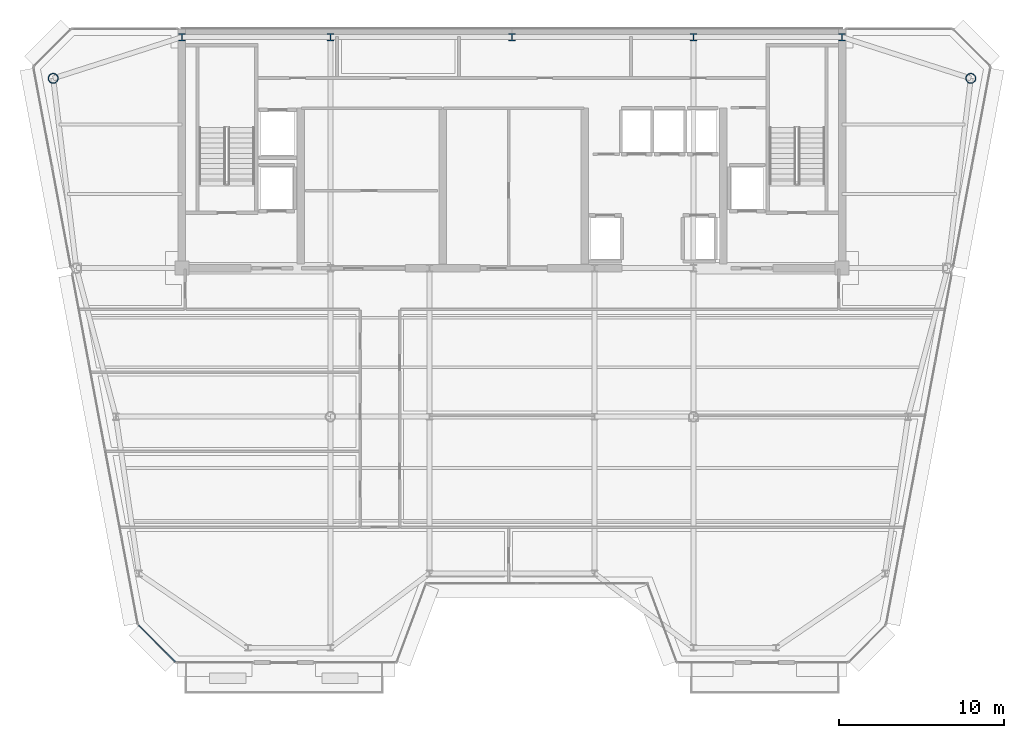
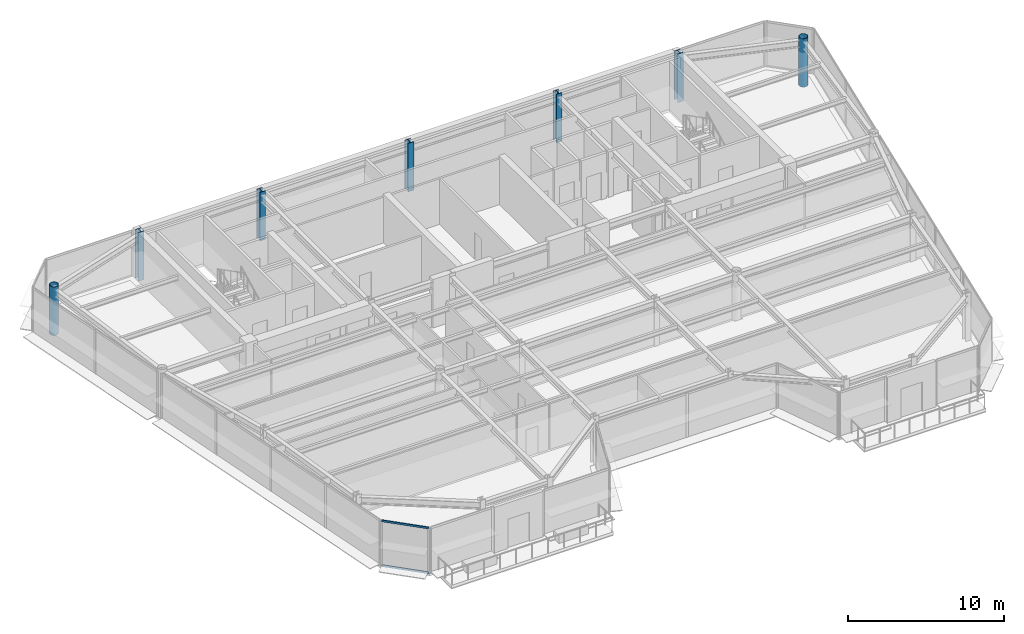
# One storey, part 2 of 20: 7 columns, 2 members, 1 element without a shape of its own.
"""IFC4 building model written with IfcOpenShell, lengths in metres."""

from ifc_helpers import new_model, si_unit, direction, frame, origin, origin_2d, place, context, subcontext, project, spatial, rectangle, hollow_circle, i_section, extrude, source, transform, mapped, material, layer, layer_set, material_profile, profile_set, type_object, element, aggregate, save


model = new_model("IFC4")

# Units and contexts
model_context = context("Model", 3, precision=1e-05, world=origin(), true_north=direction((0.0, 1.0)))
body_context = subcontext(model_context, "Body", "Model", "MODEL_VIEW")
ifc_project = project(units=[si_unit("LENGTHUNIT", "METRE"), si_unit("AREAUNIT", "SQUARE_METRE"), si_unit("VOLUMEUNIT", "CUBIC_METRE"), si_unit("PLANEANGLEUNIT", "RADIAN"), si_unit("MASSUNIT", "GRAM", prefix="KILO")], contexts=[model_context])

# Site, building, storey
site_placement = place(None, origin())
site = spatial("IfcSite", under=ifc_project, at=site_placement, CompositionType="ELEMENT")
building_placement = place(site_placement, origin())
building = spatial("IfcBuilding", under=site, at=building_placement, Name="Vaeldorn Concourse Tower", CompositionType="ELEMENT")
storey_placement = place(building_placement, frame((0.0, 0.0, 268.800048828125)))
storey = spatial("IfcBuildingStorey", under=building, at=storey_placement, Name="L69", CompositionType="ELEMENT", Elevation=268.800048828125)

# Columns
ifc_material_1 = material(Name="Steel S460", Category="steel")
ifc_material_profile_1 = material_profile(ifc_material_1, i_section(OverallWidth=0.41796875, OverallDepth=0.455078125, WebThickness=0.0419921875, FlangeThickness=0.05810546875, FilletRadius=0.014892578125, at=origin_2d()), Name="HD 400x551")
ifc_profile_set_1 = profile_set([ifc_material_profile_1], Name="Steel S460")
column_type_1 = type_object("IfcColumnType", Name="COL-HD551", PredefinedType="COLUMN", material=ifc_profile_set_1)
shared_shape_1 = source(origin(), body_context, "Body", "SweptSolid", [
    extrude(i_section(OverallWidth=0.41796875, OverallDepth=0.455078125, WebThickness=0.0419921875, FlangeThickness=0.05810546875, FilletRadius=0.014892578125, at=origin_2d()), origin(), (0.0, 0.0, 1.0), 3.800048828125),
])
for number, where, z_axis, x_axis, name in (
    (1, (14.0, 50.5, 0.0), (0.0, 0.0, 1.0), (1.0, 0.0, 0.0), "Column C-HC1 L69"),
    (2, (23.0, 50.5, 0.0), (0.0, 0.0, 1.0), (1.0, 0.0, 0.0), "Column C-HC2 L69"),
    (3, (34.0, 50.5, 0.0), (0.0, 0.0, 1.0), (1.0, 0.0, 0.0), "Column C-HC3 L69"),
    (4, (45.0, 50.5, 0.0), (0.0, 0.0, 1.0), (1.0, 0.0, 0.0), "Column C-HC4 L69"),
    (5, (54.0, 50.5, 0.0), (0.0, 0.0, 1.0), (1.0, 0.0, 0.0), "Column C-HC5 L69"),
):
    element("IfcColumn", number, at=place(storey_placement, frame(where, z_axis=z_axis, x_axis=x_axis)), inside=storey, type_object=column_type_1, Name=name, PredefinedType="COLUMN", context=body_context, shape_type="MappedRepresentation", body=[
        mapped(shared_shape_1, transform((0.0, 0.0, 0.0), scale=1.0)),
    ])
ifc_material_2 = material(Name="Steel S355", Category="steel")
ifc_material_profile_2 = material_profile(ifc_material_2, hollow_circle(Radius=0.304931640625, WallThickness=0.030029296875, at=origin_2d()), Name="CHS 610x30")
ifc_profile_set_2 = profile_set([ifc_material_profile_2], Name="Steel S355")
column_type_2 = type_object("IfcColumnType", Name="COL-CHS610", PredefinedType="COLUMN", material=ifc_profile_set_2)
shared_shape_2 = source(origin(), body_context, "Body", "SweptSolid", [
    extrude(hollow_circle(Radius=0.304931640625, WallThickness=0.030029296875, at=origin_2d()), origin(), (0.0, 0.0, 1.0), 3.800048828125),
])
for number, where, z_axis, x_axis, name in (
    (6, (6.199951171875, 48.0, 0.0), (0.0, 0.0, 1.0), (1.0, 0.0, 0.0), "Column C-NW1 L69"),
    (7, (61.800048828125, 48.0, 0.0), (0.0, 0.0, 1.0), (1.0, 0.0, 0.0), "Column C-NE1 L69"),
):
    element("IfcColumn", number, at=place(storey_placement, frame(where, z_axis=z_axis, x_axis=x_axis)), inside=storey, type_object=column_type_2, Name=name, PredefinedType="COLUMN", context=body_context, shape_type="MappedRepresentation", body=[
        mapped(shared_shape_2, transform((0.0, 0.0, 0.0), scale=1.0)),
    ])

# Curtain wall, members
ifc_material_3 = material(Name="Anodised Bronze Aluminium", Category="aluminium")
ifc_layer = layer(ifc_material_3, 0.2099609375)
ifc_layer_set = layer_set([ifc_layer], Name="Anodised Bronze Aluminium")
curtain_wall_type = type_object("IfcCurtainWallType", Name="CW-SYS-06", PredefinedType="NOTDEFINED", material=ifc_layer_set)
curtain_wall_placement = place(storey_placement, origin())
curtain_wall = element("IfcCurtainWall", 8, at=curtain_wall_placement, inside=storey, type_object=curtain_wall_type, Name="Unitised Curtain Wall CW-L69-E12-1", PredefinedType="NOTDEFINED")
ifc_material_profile_3 = material_profile(ifc_material_3, rectangle(XDim=0.06494140625, YDim=0.14990234375, at=origin_2d()), Name="CWT 65x150")
ifc_profile_set_3 = profile_set([ifc_material_profile_3], Name="Anodised Bronze Aluminium")
member_type = type_object("IfcMemberType", Name="CWT-BRONZE-150", PredefinedType="USERDEFINED", material=ifc_profile_set_3)
shared_shape_3 = source(origin(), body_context, "Body", "SweptSolid", [
    extrude(rectangle(XDim=0.06494140625, YDim=0.14990234375, at=origin_2d()), origin(), (0.0, 0.0, 1.0), 3.12255859375),
])
member_1_placement = place(storey_placement, frame((11.382080078125, 14.85400390625, 0.032470703125), z_axis=(0.707106781187, -0.707106781187, 0.0), x_axis=(0.707106781187, 0.707106781187, 0.0)))
member_1 = element("IfcMember", 9, at=member_1_placement, type_object=member_type, Name="CW-06 transom 1.1", ObjectType="TRANSOM", PredefinedType="USERDEFINED", context=body_context, shape_type="MappedRepresentation", body=[
    mapped(shared_shape_3, transform((0.0, 0.0, 0.0), scale=1.0)),
])
member_2_placement = place(storey_placement, frame((11.382080078125, 14.85400390625, 3.54736328125), z_axis=(0.707106781187, -0.707106781187, 0.0), x_axis=(0.707106781187, 0.707106781187, 0.0)))
member_2 = element("IfcMember", 10, at=member_2_placement, type_object=member_type, Name="CW-06 transom 1.2", ObjectType="TRANSOM", PredefinedType="USERDEFINED", context=body_context, shape_type="MappedRepresentation", body=[
    mapped(shared_shape_3, transform((0.0, 0.0, 0.0), scale=1.0)),
])
aggregate(curtain_wall, [member_1, member_2])

save(model, "model.ifc")
